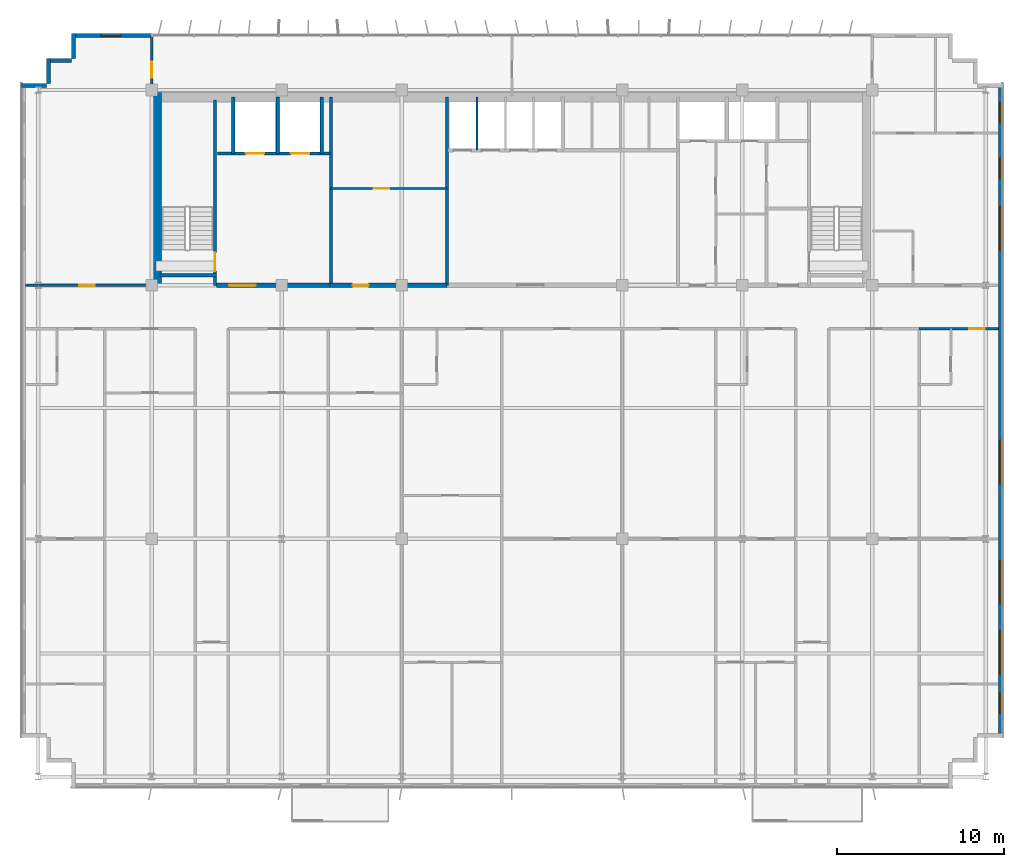
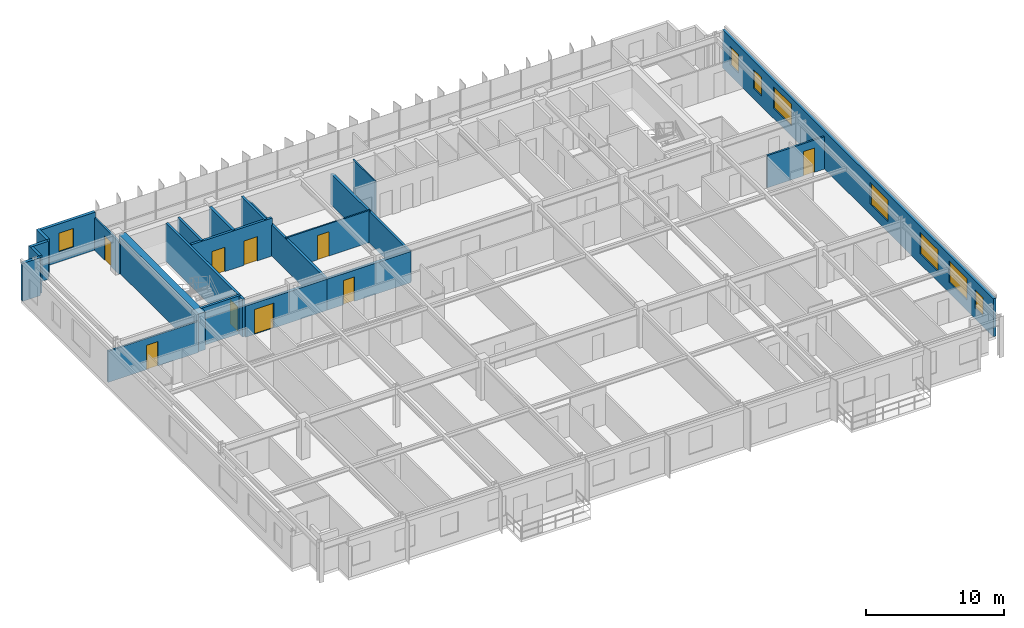
# One storey, part 17 of 21: 22 walls, 9 doors, 8 windows, 17 openings.
"""IFC4 building model written with IfcOpenShell, lengths in metres."""

from ifc_helpers import new_model, si_unit, direction, frame, frame_2d, origin, place, context, subcontext, project, spatial, rectangle, extrude, source, transform, mapped, material, layer, layer_set, type_object, element, fill, save


model = new_model("IFC4")

# Units and contexts
model_context = context("Model", 3, precision=1e-05, world=origin(), true_north=direction((0.0, 1.0)))
body_context = subcontext(model_context, "Body", "Model", "MODEL_VIEW")
ifc_project = project(units=[si_unit("LENGTHUNIT", "METRE"), si_unit("AREAUNIT", "SQUARE_METRE"), si_unit("VOLUMEUNIT", "CUBIC_METRE"), si_unit("PLANEANGLEUNIT", "RADIAN"), si_unit("MASSUNIT", "GRAM", prefix="KILO")], contexts=[model_context])

# Site, building, storey
site_placement = place(None, origin())
site = spatial("IfcSite", under=ifc_project, at=site_placement, CompositionType="ELEMENT")
building_placement = place(site_placement, origin())
building = spatial("IfcBuilding", under=site, at=building_placement, Name="Trelvane Seafront Commons", CompositionType="ELEMENT")
storey_placement = place(building_placement, frame((0.0, 0.0, 160.89990234375)))
storey = spatial("IfcBuildingStorey", under=building, at=storey_placement, Name="L42", CompositionType="ELEMENT", Elevation=160.89990234375)

# Wall, opening, window
ifc_material_1 = material(Name="Precast concrete C40/50", Category="concrete")
ifc_layer_1 = layer(ifc_material_1, 0.239990234375, Name="ARCH-WALL-EXT240")
ifc_layer_set_1 = layer_set([ifc_layer_1], Name="Precast concrete C40/50")
wall_type_1 = type_object("IfcWallType", Name="ARCH-WALL-EXT240", PredefinedType="SOLIDWALL", material=ifc_layer_set_1)
wall_1_placement = place(storey_placement, frame((10.89990234375, 48.3701171875, 0.0), z_axis=(0.0, 0.0, 1.0), x_axis=(1.0, 0.0, 0.0)))
wall_1 = element("IfcWall", 1, at=wall_1_placement, inside=storey, type_object=wall_type_1, Name="EW-L42-NW-0821", PredefinedType="SOLIDWALL", context=body_context, shape_type="SweptSolid", body=[
    extrude(rectangle(XDim=4.7001953125, YDim=0.239990234375, at=frame_2d((2.35009765625, 0.0))), origin(), (0.0, 0.0, 1.0), 3.35009765625),
])
opening_1_placement = place(wall_1_placement, frame((1.658935546875, 0.0, 0.89990234375)))
opening_1 = element("IfcOpeningElement", 2, at=opening_1_placement, cuts=wall_1, Name="Opening W05", PredefinedType="OPENING", context=body_context, shape_type="SweptSolid", body=[
    extrude(rectangle(XDim=1.199951171875, YDim=1.64990234375, at=frame_2d((0.60009765625, 0.824951171875))), frame((0.0, 0.1298828125, 0.0), z_axis=(0.0, -1.0, 0.0), x_axis=(1.0, 0.0, 0.0)), (0.0, 0.0, 1.0), 0.260009765625),
])
ifc_material_2 = material(Name="Low-E coastal double glazing", Category="glass")
window_type_1 = type_object("IfcWindowType", Name="ARCH-WIN-W05", PartitioningType="SINGLE_PANEL", PredefinedType="WINDOW", material=ifc_material_2)
shared_shape_1 = source(origin(), body_context, "Body", "SweptSolid", [
    extrude(rectangle(XDim=1.199951171875, YDim=1.64990234375, at=frame_2d((0.60009765625, 0.824951171875))), frame((0.0, 0.030029296875, 0.0), z_axis=(0.0, -1.0, 0.0), x_axis=(1.0, 0.0, 0.0)), (0.0, 0.0, 1.0), 0.06005859375),
])
window_1_placement = place(opening_1_placement, origin())
window_1 = element("IfcWindow", 3, at=window_1_placement, inside=storey, type_object=window_type_1, Name="WIN-L42-00983", OverallHeight=1.64990234375, OverallWidth=1.199951171875, PartitioningType="SINGLE_PANEL", PredefinedType="WINDOW", context=body_context, shape_type="MappedRepresentation", body=[
    mapped(shared_shape_1, transform((0.0, 0.0, 0.0), x_axis=(1.0, 0.0, 0.0), y_axis=(0.0, 1.0, 0.0), z_axis=(0.0, 0.0, 1.0), scale=1.0)),
])
fill(opening_1, window_1)

# Walls
for number, where, z_axis, x_axis, name in (
    (4, (7.800048828125, 45.3798828125, 0.0), (0.0, 0.0, 1.0), (1.0, 0.0, 0.0), "EW-L42-00827"),
    (5, (9.419921875, 45.5, 0.0), (0.0, 0.0, 1.0), (0.0, 1.0, 0.0), "EW-L42-00828"),
    (6, (9.300048828125, 46.8798828125, 0.0), (0.0, 0.0, 1.0), (1.0, 0.0, 0.0), "EW-L42-00829"),
    (7, (10.919921875, 47.0, 0.0), (0.0, 0.0, 1.0), (0.0, 1.0, 0.0), "EW-L42-00830"),
):
    element("IfcWall", number, at=place(storey_placement, frame(where, z_axis=z_axis, x_axis=x_axis)), inside=storey, type_object=wall_type_1, Name=name, PredefinedType="SOLIDWALL", context=body_context, shape_type="SweptSolid", body=[
        extrude(rectangle(XDim=1.5, YDim=0.239990234375, at=frame_2d((0.75, 0.0))), origin(), (0.0, 0.0, 1.0), 3.35009765625),
    ])

# Wall, openings, windows
wall_2_placement = place(storey_placement, frame((66.47998046875, 45.5, 0.0), z_axis=(0.0, 0.0, 1.0), x_axis=(0.0, -1.0, 0.0)))
wall_2 = element("IfcWall", 8, at=wall_2_placement, inside=storey, type_object=wall_type_1, Name="EW-L42-00835", PredefinedType="SOLIDWALL", context=body_context, shape_type="SweptSolid", body=[
    extrude(rectangle(XDim=39.199951171875, YDim=0.239990234375, at=frame_2d((19.60009765625, 0.0))), origin(), (0.0, 0.0, 1.0), 3.35009765625),
])
opening_2_placement = place(wall_2_placement, frame((36.550048828125, 0.0, 0.919921875)))
opening_2 = element("IfcOpeningElement", 9, at=opening_2_placement, cuts=wall_2, Name="Opening W05", PredefinedType="OPENING", context=body_context, shape_type="SweptSolid", body=[
    extrude(rectangle(XDim=1.199951171875, YDim=1.64990234375, at=frame_2d((0.60009765625, 0.824951171875))), frame((0.0, 0.1298828125, 0.0), z_axis=(0.0, -1.0, 0.0), x_axis=(1.0, 0.0, 0.0)), (0.0, 0.0, 1.0), 0.260009765625),
])
opening_3_placement = place(wall_2_placement, frame((32.800048828125, 0.0, 0.919921875)))
opening_3 = element("IfcOpeningElement", 10, at=opening_3_placement, cuts=wall_2, Name="Opening W04", PredefinedType="OPENING", context=body_context, shape_type="SweptSolid", body=[
    extrude(rectangle(XDim=2.60009765625, YDim=1.89990234375, at=frame_2d((1.300048828125, 0.949951171875))), frame((0.0, 0.1298828125, 0.0), z_axis=(0.0, -1.0, 0.0), x_axis=(1.0, 0.0, 0.0)), (0.0, 0.0, 1.0), 0.260009765625),
])
opening_4_placement = place(wall_2_placement, frame((28.60009765625, 0.0, 0.919921875)))
opening_4 = element("IfcOpeningElement", 11, at=opening_4_placement, cuts=wall_2, Name="Opening W04", PredefinedType="OPENING", context=body_context, shape_type="SweptSolid", body=[
    extrude(rectangle(XDim=2.60009765625, YDim=1.89990234375, at=frame_2d((1.300048828125, 0.949951171875))), frame((0.0, 0.1298828125, 0.0), z_axis=(0.0, -1.0, 0.0), x_axis=(1.0, 0.0, 0.0)), (0.0, 0.0, 1.0), 0.260009765625),
])
opening_5_placement = place(wall_2_placement, frame((21.39990234375, 0.0, 0.919921875)))
opening_5 = element("IfcOpeningElement", 12, at=opening_5_placement, cuts=wall_2, Name="Opening W04", PredefinedType="OPENING", context=body_context, shape_type="SweptSolid", body=[
    extrude(rectangle(XDim=2.60009765625, YDim=1.89990234375, at=frame_2d((1.300048828125, 0.949951171875))), frame((0.0, 0.1298828125, 0.0), z_axis=(0.0, -1.0, 0.0), x_axis=(1.0, 0.0, 0.0)), (0.0, 0.0, 1.0), 0.260009765625),
])
opening_6_placement = place(wall_2_placement, frame((7.39990234375, 0.0, 0.919921875)))
opening_6 = element("IfcOpeningElement", 13, at=opening_6_placement, cuts=wall_2, Name="Opening W04", PredefinedType="OPENING", context=body_context, shape_type="SweptSolid", body=[
    extrude(rectangle(XDim=2.60009765625, YDim=1.89990234375, at=frame_2d((1.300048828125, 0.949951171875))), frame((0.0, 0.1298828125, 0.0), z_axis=(0.0, -1.0, 0.0), x_axis=(1.0, 0.0, 0.0)), (0.0, 0.0, 1.0), 0.260009765625),
])
opening_7_placement = place(wall_2_placement, frame((4.5, 0.0, 0.919921875)))
opening_7 = element("IfcOpeningElement", 14, at=opening_7_placement, cuts=wall_2, Name="Opening W05", PredefinedType="OPENING", context=body_context, shape_type="SweptSolid", body=[
    extrude(rectangle(XDim=1.199951171875, YDim=1.64990234375, at=frame_2d((0.60009765625, 0.824951171875))), frame((0.0, 0.1298828125, 0.0), z_axis=(0.0, -1.0, 0.0), x_axis=(1.0, 0.0, 0.0)), (0.0, 0.0, 1.0), 0.260009765625),
])
opening_8_placement = place(wall_2_placement, frame((1.14990234375, 0.0, 0.919921875)))
opening_8 = element("IfcOpeningElement", 15, at=opening_8_placement, cuts=wall_2, Name="Opening W05", PredefinedType="OPENING", context=body_context, shape_type="SweptSolid", body=[
    extrude(rectangle(XDim=1.199951171875, YDim=1.64990234375, at=frame_2d((0.60009765625, 0.824951171875))), frame((0.0, 0.1298828125, 0.0), z_axis=(0.0, -1.0, 0.0), x_axis=(1.0, 0.0, 0.0)), (0.0, 0.0, 1.0), 0.260009765625),
])
window_type_2 = type_object("IfcWindowType", Name="ARCH-WIN-W04", PartitioningType="SINGLE_PANEL", PredefinedType="WINDOW", material=ifc_material_2)
shared_shape_2 = source(origin(), body_context, "Body", "SweptSolid", [
    extrude(rectangle(XDim=2.60009765625, YDim=1.89990234375, at=frame_2d((1.300048828125, 0.949951171875))), frame((0.0, 0.030029296875, 0.0), z_axis=(0.0, -1.0, 0.0), x_axis=(1.0, 0.0, 0.0)), (0.0, 0.0, 1.0), 0.06005859375),
])
window_2_placement = place(opening_3_placement, origin())
window_2 = element("IfcWindow", 16, at=window_2_placement, inside=storey, type_object=window_type_2, Name="WIN-L42-EW-00993", OverallHeight=1.89990234375, OverallWidth=2.60009765625, PartitioningType="SINGLE_PANEL", PredefinedType="WINDOW", context=body_context, shape_type="MappedRepresentation", body=[
    mapped(shared_shape_2, transform((0.0, 0.0, 0.0), x_axis=(1.0, 0.0, 0.0), y_axis=(0.0, 1.0, 0.0), z_axis=(0.0, 0.0, 1.0), scale=1.0)),
])
fill(opening_3, window_2)
window_3_placement = place(opening_4_placement, origin())
window_3 = element("IfcWindow", 17, at=window_3_placement, inside=storey, type_object=window_type_2, Name="WIN-L42-EW-00994", OverallHeight=1.89990234375, OverallWidth=2.60009765625, PartitioningType="SINGLE_PANEL", PredefinedType="WINDOW", context=body_context, shape_type="MappedRepresentation", body=[
    mapped(shared_shape_2, transform((0.0, 0.0, 0.0), x_axis=(1.0, 0.0, 0.0), y_axis=(0.0, 1.0, 0.0), z_axis=(0.0, 0.0, 1.0), scale=1.0)),
])
fill(opening_4, window_3)
window_4_placement = place(opening_5_placement, origin())
window_4 = element("IfcWindow", 18, at=window_4_placement, inside=storey, type_object=window_type_2, Name="WIN-L42-EW-00995", OverallHeight=1.89990234375, OverallWidth=2.60009765625, PartitioningType="SINGLE_PANEL", PredefinedType="WINDOW", context=body_context, shape_type="MappedRepresentation", body=[
    mapped(shared_shape_2, transform((0.0, 0.0, 0.0), x_axis=(1.0, 0.0, 0.0), y_axis=(0.0, 1.0, 0.0), z_axis=(0.0, 0.0, 1.0), scale=1.0)),
])
fill(opening_5, window_4)
window_5_placement = place(opening_6_placement, origin())
window_5 = element("IfcWindow", 19, at=window_5_placement, inside=storey, type_object=window_type_2, Name="WIN-L42-EW-00996", OverallHeight=1.89990234375, OverallWidth=2.60009765625, PartitioningType="SINGLE_PANEL", PredefinedType="WINDOW", context=body_context, shape_type="MappedRepresentation", body=[
    mapped(shared_shape_2, transform((0.0, 0.0, 0.0), x_axis=(1.0, 0.0, 0.0), y_axis=(0.0, 1.0, 0.0), z_axis=(0.0, 0.0, 1.0), scale=1.0)),
])
fill(opening_6, window_5)
window_6_placement = place(opening_2_placement, origin())
window_6 = element("IfcWindow", 20, at=window_6_placement, inside=storey, type_object=window_type_1, Name="WIN-L42-EW-00992", OverallHeight=1.64990234375, OverallWidth=1.199951171875, PartitioningType="SINGLE_PANEL", PredefinedType="WINDOW", context=body_context, shape_type="MappedRepresentation", body=[
    mapped(shared_shape_1, transform((0.0, 0.0, 0.0), x_axis=(1.0, 0.0, 0.0), y_axis=(0.0, 1.0, 0.0), z_axis=(0.0, 0.0, 1.0), scale=1.0)),
])
fill(opening_2, window_6)
window_7_placement = place(opening_7_placement, origin())
window_7 = element("IfcWindow", 21, at=window_7_placement, inside=storey, type_object=window_type_1, Name="WIN-L42-EW-00997", OverallHeight=1.64990234375, OverallWidth=1.199951171875, PartitioningType="SINGLE_PANEL", PredefinedType="WINDOW", context=body_context, shape_type="MappedRepresentation", body=[
    mapped(shared_shape_1, transform((0.0, 0.0, 0.0), x_axis=(1.0, 0.0, 0.0), y_axis=(0.0, 1.0, 0.0), z_axis=(0.0, 0.0, 1.0), scale=1.0)),
])
fill(opening_7, window_7)
window_8_placement = place(opening_8_placement, origin())
window_8 = element("IfcWindow", 22, at=window_8_placement, inside=storey, type_object=window_type_1, Name="WIN-L42-EW-00998", OverallHeight=1.64990234375, OverallWidth=1.199951171875, PartitioningType="SINGLE_PANEL", PredefinedType="WINDOW", context=body_context, shape_type="MappedRepresentation", body=[
    mapped(shared_shape_1, transform((0.0, 0.0, 0.0), x_axis=(1.0, 0.0, 0.0), y_axis=(0.0, 1.0, 0.0), z_axis=(0.0, 0.0, 1.0), scale=1.0)),
])
fill(opening_8, window_8)

# Wall, opening, door
ifc_material_3 = material(Name="Concrete C40/50", Category="concrete")
ifc_layer_2 = layer(ifc_material_3, 0.25, Name="ARCH-WALL-FIRE250")
ifc_layer_set_2 = layer_set([ifc_layer_2], Name="Concrete C40/50")
wall_type_2 = type_object("IfcWallType", Name="ARCH-WALL-FIRE250", PredefinedType="PARTITIONING", material=ifc_layer_set_2)
wall_3_placement = place(storey_placement, frame((19.5, 33.39990234375, 0.0), z_axis=(0.0, 0.0, 1.0), x_axis=(1.0, 0.0, 0.0)))
wall_3 = element("IfcWall", 23, at=wall_3_placement, inside=storey, type_object=wall_type_2, Name="W-L42-CS-FFL-013", PredefinedType="PARTITIONING", context=body_context, shape_type="SweptSolid", body=[
    extrude(rectangle(XDim=6.800048828125, YDim=0.25, at=frame_2d((3.39990234375, 0.0))), origin(), (0.0, 0.0, 1.0), 2.75),
])
opening_9_placement = place(wall_3_placement, frame((0.75, 0.0, 0.0)))
opening_9 = element("IfcOpeningElement", 24, at=opening_9_placement, cuts=wall_3, Name="Opening FD-L42-05", PredefinedType="OPENING", context=body_context, shape_type="SweptSolid", body=[
    extrude(rectangle(XDim=1.60009765625, YDim=2.199951171875, at=frame_2d((0.800048828125, 1.10009765625))), frame((0.0, 0.135009765625, 0.0), z_axis=(0.0, -1.0, 0.0), x_axis=(1.0, 0.0, 0.0)), (0.0, 0.0, 1.0), 0.27001953125),
])
ifc_material_4 = material(Name="Powder-coated aluminium frame", Category="aluminium")
door_type_1 = type_object("IfcDoorType", Name="ARCH-DR-FD60-1600", OperationType="DOUBLE_DOOR_SINGLE_SWING", PredefinedType="DOOR", material=ifc_material_4)
shared_shape_3 = source(origin(), body_context, "Body", "SweptSolid", [
    extrude(rectangle(XDim=1.60009765625, YDim=2.199951171875, at=frame_2d((0.800048828125, 1.10009765625))), frame((0.0, 0.02490234375, 0.0), z_axis=(0.0, -1.0, 0.0), x_axis=(1.0, 0.0, 0.0)), (0.0, 0.0, 1.0), 0.050048828125),
])
door_1_placement = place(opening_9_placement, origin())
door_1 = element("IfcDoor", 25, at=door_1_placement, inside=storey, type_object=door_type_1, Name="L42 Firefighting Lift Lobby Double Fire Door", OperationType="DOUBLE_DOOR_SINGLE_SWING", OverallHeight=2.199951171875, OverallWidth=1.60009765625, PredefinedType="DOOR", context=body_context, shape_type="MappedRepresentation", body=[
    mapped(shared_shape_3, transform((0.0, 0.0, 0.0), x_axis=(1.0, 0.0, 0.0), y_axis=(0.0, 1.0, 0.0), z_axis=(0.0, 0.0, 1.0), scale=1.0)),
])
fill(opening_9, door_1)

wall_4_placement = place(storey_placement, frame((26.300048828125, 33.39990234375, 0.0), z_axis=(0.0, 0.0, 1.0), x_axis=(1.0, 0.0, 0.0)))
wall_4 = element("IfcWall", 26, at=wall_4_placement, inside=storey, type_object=wall_type_2, Name="W-L42-CS-FPL-026", PredefinedType="PARTITIONING", context=body_context, shape_type="SweptSolid", body=[
    extrude(rectangle(XDim=7.0, YDim=0.25, at=frame_2d((3.5, 0.0))), origin(), (0.0, 0.0, 1.0), 2.75),
])
opening_10_placement = place(wall_4_placement, frame((1.35009765625, 0.0, 0.0)))
opening_10 = element("IfcOpeningElement", 27, at=opening_10_placement, cuts=wall_4, Name="Opening D-L42-11", PredefinedType="OPENING", context=body_context, shape_type="SweptSolid", body=[
    extrude(rectangle(XDim=0.949951171875, YDim=2.14990234375, at=frame_2d((0.47509765625, 1.074951171875))), frame((0.0, 0.135009765625, 0.0), z_axis=(0.0, -1.0, 0.0), x_axis=(1.0, 0.0, 0.0)), (0.0, 0.0, 1.0), 0.27001953125),
])
ifc_material_5 = material(Name="Acoustic timber door leaf", Category="wood")
door_type_2 = type_object("IfcDoorType", Name="ARCH-DR-INT950", OperationType="NOTDEFINED", PredefinedType="DOOR", material=ifc_material_5)
shared_shape_4 = source(origin(), body_context, "Body", "SweptSolid", [
    extrude(rectangle(XDim=0.949951171875, YDim=2.14990234375, at=frame_2d((0.47509765625, 1.074951171875))), frame((0.0, 0.02490234375, 0.0), z_axis=(0.0, -1.0, 0.0), x_axis=(1.0, 0.0, 0.0)), (0.0, 0.0, 1.0), 0.050048828125),
])
door_2_placement = place(opening_10_placement, origin())
door_2 = element("IfcDoor", 28, at=door_2_placement, inside=storey, type_object=door_type_2, Name="L42 Floor Pantry Entrance Door", OperationType="SINGLE_SWING_LEFT", OverallHeight=2.14990234375, OverallWidth=0.949951171875, PredefinedType="DOOR", context=body_context, shape_type="MappedRepresentation", body=[
    mapped(shared_shape_4, transform((0.0, 0.0, 0.0), x_axis=(1.0, 0.0, 0.0), y_axis=(0.0, 1.0, 0.0), z_axis=(0.0, 0.0, 1.0), scale=1.0)),
])
fill(opening_10, door_2)

ifc_material_6 = material(Name="Gypsum Drywall Acoustic Partition")
ifc_layer_3 = layer(ifc_material_6, 0.1201171875, Name="ARCH-WALL-PART120")
ifc_layer_set_3 = layer_set([ifc_layer_3], Name="Gypsum Drywall Acoustic Partition")
wall_type_3 = type_object("IfcWallType", Name="ARCH-WALL-PART120", PredefinedType="PARTITIONING", material=ifc_layer_set_3)
wall_5_placement = place(storey_placement, frame((26.300048828125, 39.199951171875, 0.0), z_axis=(0.0, 0.0, 1.0), x_axis=(1.0, 0.0, 0.0)))
wall_5 = element("IfcWall", 29, at=wall_5_placement, inside=storey, type_object=wall_type_3, Name="W-L42-FREED-PL-MID-014", PredefinedType="PARTITIONING", context=body_context, shape_type="SweptSolid", body=[
    extrude(rectangle(XDim=7.0, YDim=0.1201171875, at=frame_2d((3.5, 0.0))), origin(), (0.0, 0.0, 1.0), 2.85009765625),
])
opening_11_placement = place(wall_5_placement, frame((2.60009765625, 0.0, 0.0)))
opening_11 = element("IfcOpeningElement", 30, at=opening_11_placement, cuts=wall_5, Name="Opening D-L42-06", PredefinedType="OPENING", context=body_context, shape_type="SweptSolid", body=[
    extrude(rectangle(XDim=0.949951171875, YDim=2.14990234375, at=frame_2d((0.47509765625, 1.074951171875))), frame((0.0, 0.070068359375, 0.0), z_axis=(0.0, -1.0, 0.0), x_axis=(1.0, 0.0, 0.0)), (0.0, 0.0, 1.0), 0.14013671875),
])
door_3_placement = place(opening_11_placement, origin())
door_3 = element("IfcDoor", 31, at=door_3_placement, inside=storey, type_object=door_type_2, Name="L42 Housekeeping Store Door", OperationType="SINGLE_SWING_RIGHT", OverallHeight=2.14990234375, OverallWidth=0.949951171875, PredefinedType="DOOR", context=body_context, shape_type="MappedRepresentation", body=[
    mapped(shared_shape_4, transform((0.0, 0.0, 0.0), x_axis=(1.0, 0.0, 0.0), y_axis=(0.0, 1.0, 0.0), z_axis=(0.0, 0.0, 1.0), scale=1.0)),
])
fill(opening_11, door_3)

# Wall
wall_6_placement = place(storey_placement, frame((35.10009765625, 41.5, 0.0), z_axis=(0.0, 0.0, 1.0), x_axis=(0.0, 1.0, 0.0)))
element("IfcWall", 32, at=wall_6_placement, inside=storey, type_object=wall_type_3, Name="W-L42-PM-DIV1-017", PredefinedType="PARTITIONING", context=body_context, shape_type="SweptSolid", body=[
    extrude(rectangle(XDim=3.199951171875, YDim=0.1201171875, at=frame_2d((1.60009765625, 0.0))), origin(), (0.0, 0.0, 1.0), 3.35009765625),
])

# Wall, opening, door
ifc_layer_4 = layer(ifc_material_6, 0.14990234375, Name="ARCH-WALL-PART150")
ifc_layer_set_4 = layer_set([ifc_layer_4], Name="Gypsum Drywall Acoustic Partition")
wall_type_4 = type_object("IfcWallType", Name="ARCH-WALL-PART150", PredefinedType="PARTITIONING", material=ifc_layer_set_4)
wall_7_placement = place(storey_placement, frame((8.050048828125, 33.39990234375, 0.0), z_axis=(0.0, 0.0, 1.0), x_axis=(1.0, 0.0, 0.0)))
wall_7 = element("IfcWall", 33, at=wall_7_placement, inside=storey, type_object=wall_type_4, Name="W-L42-NW-ENT-036", PredefinedType="PARTITIONING", context=body_context, shape_type="SweptSolid", body=[
    extrude(rectangle(XDim=7.550048828125, YDim=0.14990234375, at=frame_2d((3.77490234375, 0.0))), origin(), (0.0, 0.0, 1.0), 2.75),
])
opening_12_placement = place(wall_7_placement, frame((3.199951171875, 0.0, 0.0)))
opening_12 = element("IfcOpeningElement", 34, at=opening_12_placement, cuts=wall_7, Name="Opening FD-L42-20", PredefinedType="OPENING", context=body_context, shape_type="SweptSolid", body=[
    extrude(rectangle(XDim=0.949951171875, YDim=2.14990234375, at=frame_2d((0.47509765625, 1.074951171875))), frame((0.0, 0.0849609375, 0.0), z_axis=(0.0, -1.0, 0.0), x_axis=(1.0, 0.0, 0.0)), (0.0, 0.0, 1.0), 0.169921875),
])
door_type_3 = type_object("IfcDoorType", Name="ARCH-DR-FD60-950", OperationType="NOTDEFINED", PredefinedType="DOOR", material=ifc_material_4)
door_4_placement = place(opening_12_placement, origin())
door_4 = element("IfcDoor", 35, at=door_4_placement, inside=storey, type_object=door_type_3, Name="L42 NW Suite Entrance Door", OperationType="SINGLE_SWING_RIGHT", OverallHeight=2.14990234375, OverallWidth=0.949951171875, PredefinedType="DOOR", context=body_context, shape_type="MappedRepresentation", body=[
    mapped(shared_shape_4, transform((0.0, 0.0, 0.0), x_axis=(1.0, 0.0, 0.0), y_axis=(0.0, 1.0, 0.0), z_axis=(0.0, 0.0, 1.0), scale=1.0)),
])
fill(opening_12, door_4)

wall_8_placement = place(storey_placement, frame((15.60009765625, 44.75, 0.0), z_axis=(0.0, 0.0, 1.0), x_axis=(0.0, 1.0, 0.0)))
wall_8 = element("IfcWall", 36, at=wall_8_placement, inside=storey, type_object=wall_type_4, Name="W-L42-N-LINK-W-044", PredefinedType="PARTITIONING", context=body_context, shape_type="SweptSolid", body=[
    extrude(rectangle(XDim=3.610107421875, YDim=0.14990234375, at=frame_2d((1.80517578125, 0.0))), origin(), (0.0, 0.0, 1.0), 2.85009765625),
])
opening_13_placement = place(wall_8_placement, frame((1.10009765625, 0.0, 0.0)))
opening_13 = element("IfcOpeningElement", 37, at=opening_13_placement, cuts=wall_8, Name="Opening FD-L42-26", PredefinedType="OPENING", context=body_context, shape_type="SweptSolid", body=[
    extrude(rectangle(XDim=0.949951171875, YDim=2.14990234375, at=frame_2d((0.47509765625, 1.074951171875))), frame((0.0, 0.0849609375, 0.0), z_axis=(0.0, -1.0, 0.0), x_axis=(1.0, 0.0, 0.0)), (0.0, 0.0, 1.0), 0.169921875),
])
door_5_placement = place(opening_13_placement, origin())
door_5 = element("IfcDoor", 38, at=door_5_placement, inside=storey, type_object=door_type_3, Name="L42 Door 26", OperationType="SINGLE_SWING_RIGHT", OverallHeight=2.14990234375, OverallWidth=0.949951171875, PredefinedType="DOOR", context=body_context, shape_type="MappedRepresentation", body=[
    mapped(shared_shape_4, transform((0.0, 0.0, 0.0), x_axis=(1.0, 0.0, 0.0), y_axis=(0.0, 1.0, 0.0), z_axis=(0.0, 0.0, 1.0), scale=1.0)),
])
fill(opening_13, door_5)

wall_9_placement = place(storey_placement, frame((61.60009765625, 30.800048828125, 0.0), z_axis=(0.0, 0.0, 1.0), x_axis=(1.0, 0.0, 0.0)))
wall_9 = element("IfcWall", 39, at=wall_9_placement, inside=storey, type_object=wall_type_4, Name="W-L42-CS-BAY-12-093", PredefinedType="PARTITIONING", context=body_context, shape_type="SweptSolid", body=[
    extrude(rectangle(XDim=4.77490234375, YDim=0.14990234375, at=frame_2d((2.387451171875, 0.0))), origin(), (0.0, 0.0, 1.0), 2.85009765625),
])
opening_14_placement = place(wall_9_placement, frame((2.993896484375, 0.0, 0.0)))
opening_14 = element("IfcOpeningElement", 40, at=opening_14_placement, cuts=wall_9, Name="Opening FD-L42-58", PredefinedType="OPENING", context=body_context, shape_type="SweptSolid", body=[
    extrude(rectangle(XDim=0.949951171875, YDim=2.14990234375, at=frame_2d((0.47509765625, 1.074951171875))), frame((0.0, 0.0849609375, 0.0), z_axis=(0.0, -1.0, 0.0), x_axis=(1.0, 0.0, 0.0)), (0.0, 0.0, 1.0), 0.169921875),
])
door_6_placement = place(opening_14_placement, origin())
door_6 = element("IfcDoor", 41, at=door_6_placement, inside=storey, type_object=door_type_3, Name="L42 Unit 12 Entrance Door", OperationType="SINGLE_SWING_RIGHT", OverallHeight=2.14990234375, OverallWidth=0.949951171875, PredefinedType="DOOR", context=body_context, shape_type="MappedRepresentation", body=[
    mapped(shared_shape_4, transform((0.0, 0.0, 0.0), x_axis=(1.0, 0.0, 0.0), y_axis=(0.0, 1.0, 0.0), z_axis=(0.0, 0.0, 1.0), scale=1.0)),
])
fill(opening_14, door_6)

# Wall, openings, doors
ifc_layer_5 = layer(ifc_material_3, 0.199951171875, Name="ARCH-WALL-SHAFT200")
ifc_layer_set_5 = layer_set([ifc_layer_5], Name="Concrete C40/50")
wall_type_5 = type_object("IfcWallType", Name="ARCH-WALL-SHAFT200", PredefinedType="SOLIDWALL", material=ifc_layer_set_5)
wall_10_placement = place(storey_placement, frame((19.550048828125, 41.300048828125, 0.0), z_axis=(0.0, 0.0, 1.0), x_axis=(1.0, 0.0, 0.0)))
wall_10 = element("IfcWall", 42, at=wall_10_placement, inside=storey, type_object=wall_type_5, Name="W-L42-FFL-FRONT-008", PredefinedType="SOLIDWALL", context=body_context, shape_type="SweptSolid", body=[
    extrude(rectangle(XDim=6.75, YDim=0.199951171875, at=frame_2d((3.375, 0.0))), origin(), (0.0, 0.0, 1.0), 3.35009765625),
])
opening_15_placement = place(wall_10_placement, frame((1.699951171875, 0.0, 0.0)))
opening_15 = element("IfcOpeningElement", 43, at=opening_15_placement, cuts=wall_10, Name="Opening LD-FF1-L42", PredefinedType="OPENING", context=body_context, shape_type="SweptSolid", body=[
    extrude(rectangle(XDim=1.10009765625, YDim=2.14990234375, at=frame_2d((0.550048828125, 1.074951171875))), frame((0.0, 0.10986328125, 0.0), z_axis=(0.0, -1.0, 0.0), x_axis=(1.0, 0.0, 0.0)), (0.0, 0.0, 1.0), 0.219970703125),
])
opening_16_placement = place(wall_10_placement, frame((4.39990234375, 0.0, 0.0)))
opening_16 = element("IfcOpeningElement", 44, at=opening_16_placement, cuts=wall_10, Name="Opening LD-FF2-L42", PredefinedType="OPENING", context=body_context, shape_type="SweptSolid", body=[
    extrude(rectangle(XDim=1.10009765625, YDim=2.14990234375, at=frame_2d((0.550048828125, 1.074951171875))), frame((0.0, 0.10986328125, 0.0), z_axis=(0.0, -1.0, 0.0), x_axis=(1.0, 0.0, 0.0)), (0.0, 0.0, 1.0), 0.219970703125),
])
ifc_material_7 = material(Name="Stainless steel balustrade", Category="steel")
door_type_4 = type_object("IfcDoorType", Name="ARCH-DR-LD1100", OperationType="DOUBLE_DOOR_SLIDING", PredefinedType="DOOR", material=ifc_material_7)
shared_shape_5 = source(origin(), body_context, "Body", "SweptSolid", [
    extrude(rectangle(XDim=1.10009765625, YDim=2.14990234375, at=frame_2d((0.550048828125, 1.074951171875))), frame((0.0, 0.02490234375, 0.0), z_axis=(0.0, -1.0, 0.0), x_axis=(1.0, 0.0, 0.0)), (0.0, 0.0, 1.0), 0.050048828125),
])
door_7_placement = place(opening_15_placement, origin())
door_7 = element("IfcDoor", 45, at=door_7_placement, inside=storey, type_object=door_type_4, Name="L42 Firefighting Lift FFL-1 Landing Door", OperationType="DOUBLE_DOOR_SLIDING", OverallHeight=2.14990234375, OverallWidth=1.10009765625, PredefinedType="DOOR", context=body_context, shape_type="MappedRepresentation", body=[
    mapped(shared_shape_5, transform((0.0, 0.0, 0.0), x_axis=(1.0, 0.0, 0.0), y_axis=(0.0, 1.0, 0.0), z_axis=(0.0, 0.0, 1.0), scale=1.0)),
])
fill(opening_15, door_7)
door_8_placement = place(opening_16_placement, origin())
door_8 = element("IfcDoor", 46, at=door_8_placement, inside=storey, type_object=door_type_4, Name="L42 Firefighting Lift FFL-2 Landing Door", OperationType="DOUBLE_DOOR_SLIDING", OverallHeight=2.14990234375, OverallWidth=1.10009765625, PredefinedType="DOOR", context=body_context, shape_type="MappedRepresentation", body=[
    mapped(shared_shape_5, transform((0.0, 0.0, 0.0), x_axis=(1.0, 0.0, 0.0), y_axis=(0.0, 1.0, 0.0), z_axis=(0.0, 0.0, 1.0), scale=1.0)),
])
fill(opening_16, door_8)

# Walls
for number, where, z_axis, x_axis, name in (
    (47, (20.5, 41.300048828125, 0.0), (0.0, 0.0, 1.0), (0.0, 1.0, 0.0), "W-L42-FFL-SH-W-009"),
    (48, (23.14990234375, 41.300048828125, 0.0), (0.0, 0.0, 1.0), (0.0, 1.0, 0.0), "W-L42-FFL-DIV-010"),
    (49, (25.800048828125, 41.300048828125, 0.0), (0.0, 0.0, 1.0), (0.0, 1.0, 0.0), "W-L42-FFL-SH-E-011"),
):
    element("IfcWall", number, at=place(storey_placement, frame(where, z_axis=z_axis, x_axis=x_axis)), inside=storey, type_object=wall_type_5, Name=name, PredefinedType="SOLIDWALL", context=body_context, shape_type="SweptSolid", body=[
        extrude(rectangle(XDim=3.39990234375, YDim=0.199951171875, at=frame_2d((1.699951171875, 0.0))), origin(), (0.0, 0.0, 1.0), 3.35009765625),
    ])
for number, where, z_axis, x_axis, name in (
    (50, (26.35009765625, 33.39990234375, 0.0), (0.0, 0.0, 1.0), (0.0, 1.0, 0.0), "W-L42-FFL-EAST-012"),
    (51, (33.300048828125, 33.39990234375, 0.0), (0.0, 0.0, 1.0), (0.0, 1.0, 0.0), "W-L42-FREED-PL-E-015"),
):
    element("IfcWall", number, at=place(storey_placement, frame(where, z_axis=z_axis, x_axis=x_axis)), inside=storey, type_object=wall_type_5, Name=name, PredefinedType="SOLIDWALL", context=body_context, shape_type="SweptSolid", body=[
        extrude(rectangle(XDim=11.300048828125, YDim=0.199951171875, at=frame_2d((5.64990234375, 0.0))), origin(), (0.0, 0.0, 1.0), 2.75),
    ])
ifc_material_8 = material(Name="Concrete C50/60", Category="concrete")
ifc_layer_6 = layer(ifc_material_8, 0.550048828125, Name="STR-WALL-CORE550")
ifc_layer_set_6 = layer_set([ifc_layer_6], Name="Concrete C50/60")
wall_type_6 = type_object("IfcWallType", Name="STR-WALL-CORE550", PredefinedType="SHEAR", material=ifc_layer_set_6)
wall_11_placement = place(storey_placement, frame((15.925048828125, 33.39990234375, 0.0), z_axis=(0.0, 0.0, 1.0), x_axis=(0.0, 1.0, 0.0)))
element("IfcWall", 52, at=wall_11_placement, inside=storey, type_object=wall_type_6, Name="W-L42-CW-END-002", PredefinedType="SHEAR", context=body_context, shape_type="SweptSolid", body=[
    extrude(rectangle(XDim=11.550048828125, YDim=0.550048828125, at=frame_2d((5.77490234375, 0.0))), origin(), (0.0, 0.0, 1.0), 3.35009765625),
])
ifc_layer_7 = layer(ifc_material_8, 0.199951171875, Name="STR-WALL-STAIR200")
ifc_layer_set_7 = layer_set([ifc_layer_7], Name="Concrete C50/60")
wall_type_7 = type_object("IfcWallType", Name="STR-WALL-STAIR200", PredefinedType="SHEAR", material=ifc_layer_set_7)
wall_12_placement = place(storey_placement, frame((16.10009765625, 34.0, 0.0), z_axis=(0.0, 0.0, 1.0), x_axis=(1.0, 0.0, 0.0)))
element("IfcWall", 53, at=wall_12_placement, inside=storey, type_object=wall_type_7, Name="W-L42-ST1-S-004", PredefinedType="SHEAR", context=body_context, shape_type="SweptSolid", body=[
    extrude(rectangle(XDim=3.39990234375, YDim=0.199951171875, at=frame_2d((1.699951171875, 0.0))), origin(), (0.0, 0.0, 1.0), 3.35009765625),
])

# Wall, opening, door
wall_13_placement = place(storey_placement, frame((19.39990234375, 33.39990234375, 0.0), z_axis=(0.0, 0.0, 1.0), x_axis=(0.0, 1.0, 0.0)))
wall_13 = element("IfcWall", 54, at=wall_13_placement, inside=storey, type_object=wall_type_7, Name="W-L42-ST1-E-005", PredefinedType="SHEAR", context=body_context, shape_type="SweptSolid", body=[
    extrude(rectangle(XDim=11.10009765625, YDim=0.199951171875, at=frame_2d((5.550048828125, 0.0))), origin(), (0.0, 0.0, 1.0), 3.35009765625),
])
opening_17_placement = place(wall_13_placement, frame((0.85009765625, 0.0, 0.0)))
opening_17 = element("IfcOpeningElement", 55, at=opening_17_placement, cuts=wall_13, Name="Opening ST-D1-L42", PredefinedType="OPENING", context=body_context, shape_type="SweptSolid", body=[
    extrude(rectangle(XDim=1.10009765625, YDim=2.14990234375, at=frame_2d((0.550048828125, 1.074951171875))), frame((0.0, 0.10986328125, 0.0), z_axis=(0.0, -1.0, 0.0), x_axis=(1.0, 0.0, 0.0)), (0.0, 0.0, 1.0), 0.219970703125),
])
door_type_5 = type_object("IfcDoorType", Name="ARCH-DR-FD90-1100", OperationType="NOTDEFINED", PredefinedType="DOOR", material=ifc_material_4)
door_9_placement = place(opening_17_placement, origin())
door_9 = element("IfcDoor", 56, at=door_9_placement, inside=storey, type_object=door_type_5, Name="L42 Stair ST-1 Lobby Fire Door", OperationType="SINGLE_SWING_LEFT", OverallHeight=2.14990234375, OverallWidth=1.10009765625, PredefinedType="DOOR", context=body_context, shape_type="MappedRepresentation", body=[
    mapped(shared_shape_5, transform((0.0, 0.0, 0.0), x_axis=(1.0, 0.0, 0.0), y_axis=(0.0, 1.0, 0.0), z_axis=(0.0, 0.0, 1.0), scale=1.0)),
])
fill(opening_17, door_9)

save(model, "model.ifc")
